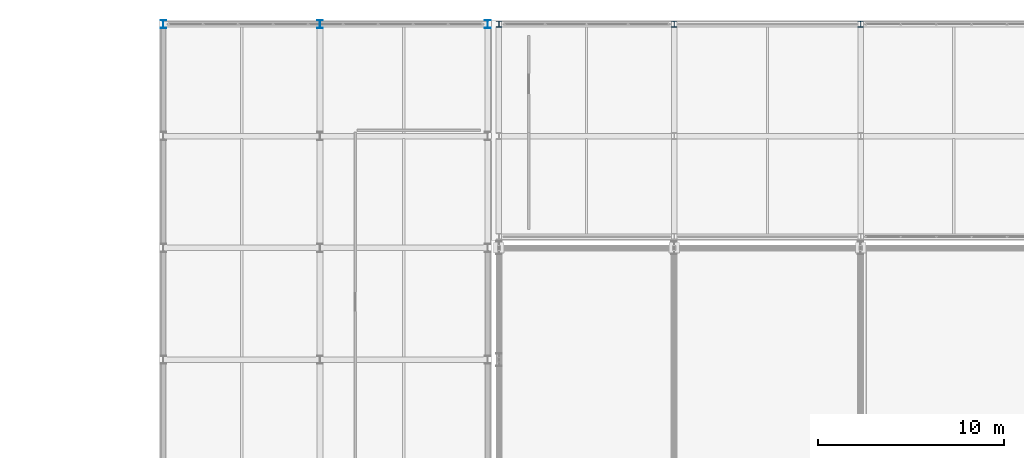
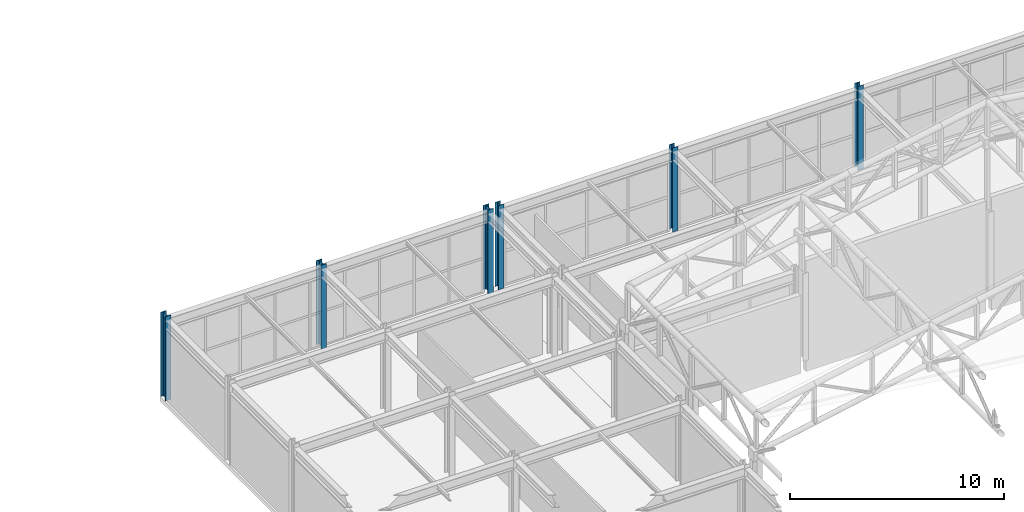
# One storey, part 9 of 112: 6 columns.
"""IFC4 building model written with IfcOpenShell, lengths in metres."""

from ifc_helpers import new_model, si_unit, direction, frame, origin, origin_2d, place, context, subcontext, project, spatial, i_section, extrude, material, material_profile, profile_set, type_object, element, save


model = new_model("IFC4")

# Units and contexts
model_context = context("Model", 3, precision=1e-05, world=origin(), true_north=direction((0.0, 1.0)))
body_context = subcontext(model_context, "Body", "Model", "MODEL_VIEW")
ifc_project = project(units=[si_unit("LENGTHUNIT", "METRE"), si_unit("AREAUNIT", "SQUARE_METRE"), si_unit("VOLUMEUNIT", "CUBIC_METRE"), si_unit("PLANEANGLEUNIT", "RADIAN"), si_unit("MASSUNIT", "GRAM", prefix="KILO")], contexts=[model_context])

# Site, building, storey
site_placement = place(None, origin())
site = spatial("IfcSite", under=ifc_project, at=site_placement, CompositionType="ELEMENT")
building_placement = place(site_placement, origin())
building = spatial("IfcBuilding", under=site, at=building_placement, Name="Kaldris Quays Convention Centre", CompositionType="ELEMENT")
storey_placement = place(building_placement, frame((0.0, 0.0, 16.800048828125)))
storey = spatial("IfcBuildingStorey", under=building, at=storey_placement, Name="L03", CompositionType="ELEMENT", Elevation=16.800048828125)

# Columns
ifc_material = material(Name="Steel S355J2", Category="steel")
ifc_material_profile_1 = material_profile(ifc_material, i_section(OverallWidth=0.300048828125, OverallDepth=0.449951171875, WebThickness=0.013916015625, FlangeThickness=0.02587890625, FilletRadius=0.027099609375, at=origin_2d()), Name="HEB 450")
ifc_profile_set_1 = profile_set([ifc_material_profile_1], Name="Steel S355J2")
column_type_1 = type_object("IfcColumnType", Name="STRUCTURAL COLUMN CL08", PredefinedType="COLUMN", material=ifc_profile_set_1)
for number, where, z_axis, x_axis, name in (
    (1, (146.60009765625, 116.0, 0.0), (0.0, 0.0, 1.0), (1.0, 0.0, 0.0), "L03 V4 Column CL08 (146.60, 116.00)"),
    (2, (155.0, 116.0, 0.0), (0.0, 0.0, 1.0), (1.0, 0.0, 0.0), "L03 V4 Column CL08 (155.00, 116.00)"),
    (3, (164.0, 116.0, 0.0), (0.0, 0.0, 1.0), (1.0, 0.0, 0.0), "L03 V4 Column CL08 (164.00, 116.00)"),
):
    element("IfcColumn", number, at=place(storey_placement, frame(where, z_axis=z_axis, x_axis=x_axis)), inside=storey, type_object=column_type_1, Name=name, PredefinedType="COLUMN", context=body_context, shape_type="SweptSolid", body=[
        extrude(i_section(OverallWidth=0.300048828125, OverallDepth=0.449951171875, WebThickness=0.013916015625, FlangeThickness=0.02587890625, FilletRadius=0.027099609375, at=origin_2d()), origin(), (0.0, 0.0, 1.0), 4.800048828125),
    ])
ifc_material_profile_2 = material_profile(ifc_material, i_section(OverallWidth=0.300048828125, OverallDepth=0.330078125, WebThickness=0.009521484375, FlangeThickness=0.0166015625, FilletRadius=0.027099609375, at=origin_2d()), Name="HEA 340")
ifc_profile_set_2 = profile_set([ifc_material_profile_2], Name="Steel S355J2")
column_type_2 = type_object("IfcColumnType", Name="STRUCTURAL COLUMN CL16", PredefinedType="COLUMN", material=ifc_profile_set_2)
for number, where, z_axis, x_axis, name in (
    (4, (164.60009765625, 116.0, 0.0), (0.0, 0.0, 1.0), (1.0, 0.0, 0.0), "L03 V4 Column CL16 (164.60, 116.00)"),
    (5, (174.0, 116.0, 0.0), (0.0, 0.0, 1.0), (1.0, 0.0, 0.0), "L03 V4 Column CL16 (174.00, 116.00)"),
    (6, (184.0, 116.0, 0.0), (0.0, 0.0, 1.0), (1.0, 0.0, 0.0), "L03 V4 Column CL16 (184.00, 116.00)"),
):
    element("IfcColumn", number, at=place(storey_placement, frame(where, z_axis=z_axis, x_axis=x_axis)), inside=storey, type_object=column_type_2, Name=name, PredefinedType="COLUMN", context=body_context, shape_type="SweptSolid", body=[
        extrude(i_section(OverallWidth=0.300048828125, OverallDepth=0.330078125, WebThickness=0.009521484375, FlangeThickness=0.0166015625, FilletRadius=0.027099609375, at=origin_2d()), origin(), (0.0, 0.0, 1.0), 4.800048828125),
    ])

save(model, "model.ifc")
